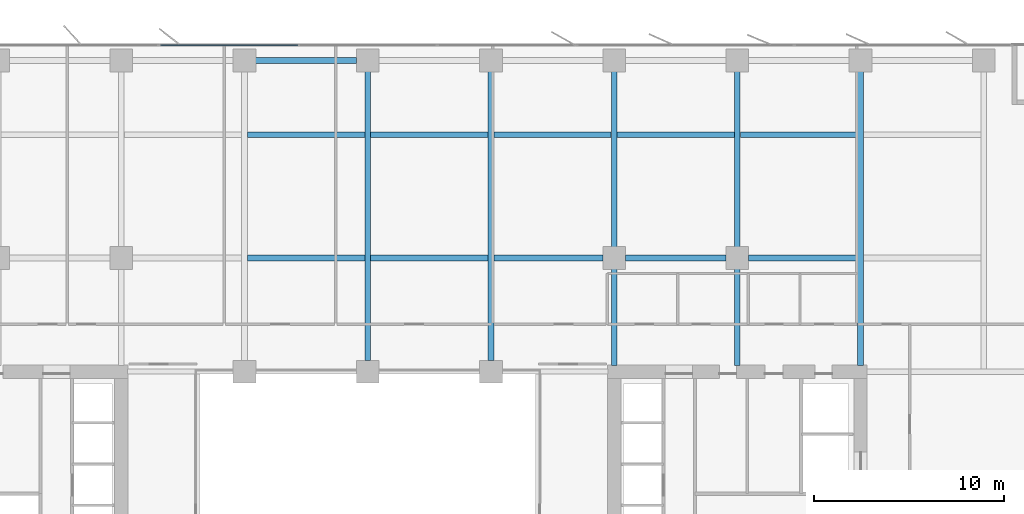
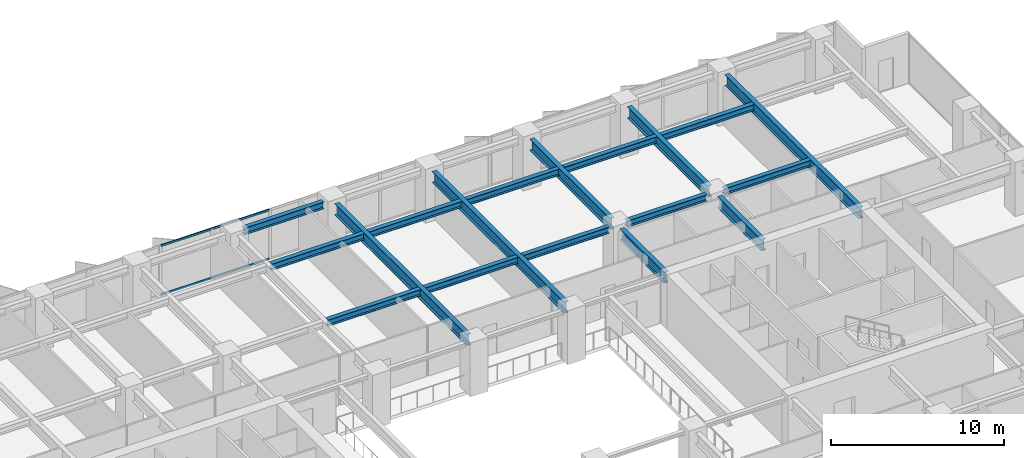
# One storey, part 8 of 20: 18 beams, 2 members, 1 element without a shape of its own.
"""IFC4 building model written with IfcOpenShell, lengths in metres."""

from ifc_helpers import new_model, si_unit, direction, frame, origin, origin_2d, place, context, subcontext, project, spatial, rectangle, i_section, extrude, material, layer, layer_set, material_profile, profile_set, type_object, element, aggregate, save


model = new_model("IFC4")

# Units and contexts
model_context = context("Model", 3, precision=1e-05, world=origin(), true_north=direction((0.0, 1.0)))
body_context = subcontext(model_context, "Body", "Model", "MODEL_VIEW")
ifc_project = project(units=[si_unit("LENGTHUNIT", "METRE"), si_unit("AREAUNIT", "SQUARE_METRE"), si_unit("VOLUMEUNIT", "CUBIC_METRE"), si_unit("PLANEANGLEUNIT", "RADIAN"), si_unit("MASSUNIT", "GRAM", prefix="KILO")], contexts=[model_context])

# Site, building, storey
site_placement = place(None, origin())
site = spatial("IfcSite", under=ifc_project, at=site_placement, CompositionType="ELEMENT")
building_placement = place(site_placement, origin())
building = spatial("IfcBuilding", under=site, at=building_placement, Name="Putna Gate Headquarters", CompositionType="ELEMENT")
storey_placement = place(building_placement, frame((0.0, 0.0, 135.39990234375)))
storey = spatial("IfcBuildingStorey", under=building, at=storey_placement, Name="L33", CompositionType="ELEMENT", Elevation=135.39990234375)

# Beams
ifc_material_1 = material(Name="Steel S355J2", Category="steel")
ifc_material_profile_1 = material_profile(ifc_material_1, i_section(OverallWidth=0.300048828125, OverallDepth=0.800048828125, WebThickness=0.017578125, FlangeThickness=0.032958984375, at=origin_2d()), Name="Steel S355J2")
ifc_profile_set_1 = profile_set([ifc_material_profile_1], Name="Steel S355J2")
beam_type_1 = type_object("IfcBeamType", Name="BM-GIRD-P-HEB800", PredefinedType="USERDEFINED", material=ifc_profile_set_1)
for number, where, z_axis, x_axis, name in (
    (1, (39.0, 33.587890625, 3.1201171875), (0.0, 1.0, 0.0), (-1.0, 0.0, 0.0), "L33 North Primary Girder X39"),
    (2, (45.5, 33.587890625, 3.1201171875), (0.0, 1.0, 0.0), (-1.0, 0.0, 0.0), "L33 North Primary Girder X45"),
):
    element("IfcBeam", number, at=place(storey_placement, frame(where, z_axis=z_axis, x_axis=x_axis)), inside=storey, type_object=beam_type_1, Name=name, ObjectType="GIRDER", PredefinedType="USERDEFINED", context=body_context, shape_type="SweptSolid", body=[
        extrude(i_section(OverallWidth=0.300048828125, OverallDepth=0.800048828125, WebThickness=0.017578125, FlangeThickness=0.032958984375, at=origin_2d()), origin(), (0.0, 0.0, 1.0), 15.244140625),
    ])
beam_1_placement = place(storey_placement, frame((52.0, 33.3349609375, 3.1201171875), z_axis=(0.0, 1.0, 0.0), x_axis=(-1.0, 0.0, 0.0)))
element("IfcBeam", 3, at=beam_1_placement, inside=storey, type_object=beam_type_1, Name="L33 North Primary Girder X52-1", ObjectType="GIRDER", PredefinedType="USERDEFINED", context=body_context, shape_type="SweptSolid", body=[
    extrude(i_section(OverallWidth=0.300048828125, OverallDepth=0.800048828125, WebThickness=0.017578125, FlangeThickness=0.032958984375, at=origin_2d()), origin(), (0.0, 0.0, 1.0), 5.0771484375),
])
beam_2_placement = place(storey_placement, frame((52.0, 39.587890625, 3.1201171875), z_axis=(0.0, 1.0, 0.0), x_axis=(-1.0, 0.0, 0.0)))
element("IfcBeam", 4, at=beam_2_placement, inside=storey, type_object=beam_type_1, Name="L33 North Primary Girder X52-2", ObjectType="GIRDER", PredefinedType="USERDEFINED", context=body_context, shape_type="SweptSolid", body=[
    extrude(i_section(OverallWidth=0.300048828125, OverallDepth=0.800048828125, WebThickness=0.017578125, FlangeThickness=0.032958984375, at=origin_2d()), origin(), (0.0, 0.0, 1.0), 9.244140625),
])
beam_3_placement = place(storey_placement, frame((58.5, 33.3349609375, 3.1201171875), z_axis=(0.0, 1.0, 0.0), x_axis=(-1.0, 0.0, 0.0)))
element("IfcBeam", 5, at=beam_3_placement, inside=storey, type_object=beam_type_1, Name="L33 North Primary Girder X58-1", ObjectType="GIRDER", PredefinedType="USERDEFINED", context=body_context, shape_type="SweptSolid", body=[
    extrude(i_section(OverallWidth=0.300048828125, OverallDepth=0.800048828125, WebThickness=0.017578125, FlangeThickness=0.032958984375, at=origin_2d()), origin(), (0.0, 0.0, 1.0), 5.0771484375),
])
beam_4_placement = place(storey_placement, frame((58.5, 39.587890625, 3.1201171875), z_axis=(0.0, 1.0, 0.0), x_axis=(-1.0, 0.0, 0.0)))
element("IfcBeam", 6, at=beam_4_placement, inside=storey, type_object=beam_type_1, Name="L33 North Primary Girder X58-2", ObjectType="GIRDER", PredefinedType="USERDEFINED", context=body_context, shape_type="SweptSolid", body=[
    extrude(i_section(OverallWidth=0.300048828125, OverallDepth=0.800048828125, WebThickness=0.017578125, FlangeThickness=0.032958984375, at=origin_2d()), origin(), (0.0, 0.0, 1.0), 9.244140625),
])
beam_5_placement = place(storey_placement, frame((65.0, 33.3349609375, 3.1201171875), z_axis=(0.0, 1.0, 0.0), x_axis=(-1.0, 0.0, 0.0)))
element("IfcBeam", 7, at=beam_5_placement, inside=storey, type_object=beam_type_1, Name="L33 North Primary Girder X65", ObjectType="GIRDER", PredefinedType="USERDEFINED", context=body_context, shape_type="SweptSolid", body=[
    extrude(i_section(OverallWidth=0.300048828125, OverallDepth=0.800048828125, WebThickness=0.017578125, FlangeThickness=0.032958984375, at=origin_2d()), origin(), (0.0, 0.0, 1.0), 15.4970703125),
])
ifc_material_profile_2 = material_profile(ifc_material_1, i_section(OverallWidth=0.300048828125, OverallDepth=0.449951171875, WebThickness=0.013916015625, FlangeThickness=0.02587890625, at=origin_2d()), Name="Steel S355J2")
ifc_profile_set_2 = profile_set([ifc_material_profile_2], Name="Steel S355J2")
beam_type_2 = type_object("IfcBeamType", Name="BM-GIRD-Z5-HEB450", PredefinedType="USERDEFINED", material=ifc_profile_set_2)
for number, where, z_axis, x_axis, name in (
    (8, (32.654052734375, 39.0, 3.295166015625), (1.0, 0.0, 0.0), (0.0, 1.0, 0.0), "L33 North Secondary Beam 5"),
    (9, (32.654052734375, 45.5, 3.295166015625), (1.0, 0.0, 0.0), (0.0, 1.0, 0.0), "L33 North Secondary Beam 5"),
    (10, (39.154052734375, 39.0, 3.295166015625), (1.0, 0.0, 0.0), (0.0, 1.0, 0.0), "L33 North Secondary Beam 6"),
    (11, (39.154052734375, 45.5, 3.295166015625), (1.0, 0.0, 0.0), (0.0, 1.0, 0.0), "L33 North Secondary Beam 6"),
):
    element("IfcBeam", number, at=place(storey_placement, frame(where, z_axis=z_axis, x_axis=x_axis)), inside=storey, type_object=beam_type_2, Name=name, ObjectType="GIRDER", PredefinedType="USERDEFINED", context=body_context, shape_type="SweptSolid", body=[
        extrude(i_section(OverallWidth=0.300048828125, OverallDepth=0.449951171875, WebThickness=0.013916015625, FlangeThickness=0.02587890625, at=origin_2d()), origin(), (0.0, 0.0, 1.0), 6.19189453125),
    ])
beam_6_placement = place(storey_placement, frame((45.654052734375, 39.0, 3.295166015625), z_axis=(1.0, 0.0, 0.0), x_axis=(0.0, 1.0, 0.0)))
element("IfcBeam", 12, at=beam_6_placement, inside=storey, type_object=beam_type_2, Name="L33 North Secondary Beam 7", ObjectType="GIRDER", PredefinedType="USERDEFINED", context=body_context, shape_type="SweptSolid", body=[
    extrude(i_section(OverallWidth=0.300048828125, OverallDepth=0.449951171875, WebThickness=0.013916015625, FlangeThickness=0.02587890625, at=origin_2d()), origin(), (0.0, 0.0, 1.0), 5.758056640625),
])
beam_7_placement = place(storey_placement, frame((45.654052734375, 45.5, 3.295166015625), z_axis=(1.0, 0.0, 0.0), x_axis=(0.0, 1.0, 0.0)))
element("IfcBeam", 13, at=beam_7_placement, inside=storey, type_object=beam_type_2, Name="L33 North Secondary Beam 7", ObjectType="GIRDER", PredefinedType="USERDEFINED", context=body_context, shape_type="SweptSolid", body=[
    extrude(i_section(OverallWidth=0.300048828125, OverallDepth=0.449951171875, WebThickness=0.013916015625, FlangeThickness=0.02587890625, at=origin_2d()), origin(), (0.0, 0.0, 1.0), 6.19189453125),
])
beam_8_placement = place(storey_placement, frame((52.587890625, 39.0, 3.295166015625), z_axis=(1.0, 0.0, 0.0), x_axis=(0.0, 1.0, 0.0)))
element("IfcBeam", 14, at=beam_8_placement, inside=storey, type_object=beam_type_2, Name="L33 North Secondary Beam 8", ObjectType="GIRDER", PredefinedType="USERDEFINED", context=body_context, shape_type="SweptSolid", body=[
    extrude(i_section(OverallWidth=0.300048828125, OverallDepth=0.449951171875, WebThickness=0.013916015625, FlangeThickness=0.02587890625, at=origin_2d()), origin(), (0.0, 0.0, 1.0), 5.32421875),
])
beam_9_placement = place(storey_placement, frame((52.154052734375, 45.5, 3.295166015625), z_axis=(1.0, 0.0, 0.0), x_axis=(0.0, 1.0, 0.0)))
element("IfcBeam", 15, at=beam_9_placement, inside=storey, type_object=beam_type_2, Name="L33 North Secondary Beam 8", ObjectType="GIRDER", PredefinedType="USERDEFINED", context=body_context, shape_type="SweptSolid", body=[
    extrude(i_section(OverallWidth=0.300048828125, OverallDepth=0.449951171875, WebThickness=0.013916015625, FlangeThickness=0.02587890625, at=origin_2d()), origin(), (0.0, 0.0, 1.0), 6.19189453125),
])
beam_10_placement = place(storey_placement, frame((59.087890625, 39.0, 3.295166015625), z_axis=(1.0, 0.0, 0.0), x_axis=(0.0, 1.0, 0.0)))
element("IfcBeam", 16, at=beam_10_placement, inside=storey, type_object=beam_type_2, Name="L33 North Secondary Beam 9", ObjectType="GIRDER", PredefinedType="USERDEFINED", context=body_context, shape_type="SweptSolid", body=[
    extrude(i_section(OverallWidth=0.300048828125, OverallDepth=0.449951171875, WebThickness=0.013916015625, FlangeThickness=0.02587890625, at=origin_2d()), origin(), (0.0, 0.0, 1.0), 5.758056640625),
])
beam_11_placement = place(storey_placement, frame((58.654052734375, 45.5, 3.295166015625), z_axis=(1.0, 0.0, 0.0), x_axis=(0.0, 1.0, 0.0)))
element("IfcBeam", 17, at=beam_11_placement, inside=storey, type_object=beam_type_2, Name="L33 North Secondary Beam 9", ObjectType="GIRDER", PredefinedType="USERDEFINED", context=body_context, shape_type="SweptSolid", body=[
    extrude(i_section(OverallWidth=0.300048828125, OverallDepth=0.449951171875, WebThickness=0.013916015625, FlangeThickness=0.02587890625, at=origin_2d()), origin(), (0.0, 0.0, 1.0), 6.19189453125),
])
ifc_material_profile_3 = material_profile(ifc_material_1, i_section(OverallWidth=0.300048828125, OverallDepth=0.489990234375, WebThickness=0.011962890625, FlangeThickness=0.02294921875, at=origin_2d()), Name="Steel S355J2")
ifc_profile_set_3 = profile_set([ifc_material_profile_3], Name="Steel S355J2")
beam_type_3 = type_object("IfcBeamType", Name="BM-SPAN-Z2-HEA500", PredefinedType="SPANDREL", material=ifc_profile_set_3)
beam_12_placement = place(storey_placement, frame((33.087890625, 49.419921875, 3.275146484375), z_axis=(1.0, 0.0, 0.0), x_axis=(0.0, 1.0, 0.0)))
element("IfcBeam", 18, at=beam_12_placement, inside=storey, type_object=beam_type_3, Name="L33 N Perimeter Spandrel 5", PredefinedType="SPANDREL", context=body_context, shape_type="SweptSolid", body=[
    extrude(i_section(OverallWidth=0.300048828125, OverallDepth=0.489990234375, WebThickness=0.011962890625, FlangeThickness=0.02294921875, at=origin_2d()), origin(), (0.0, 0.0, 1.0), 5.32421875),
])

# Curtain wall, members
ifc_material_2 = material(Name="Anodised bronze aluminium curtain wall", Category="aluminium")
ifc_layer = layer(ifc_material_2, 0.179931640625)
ifc_layer_set = layer_set([ifc_layer], Name="Anodised bronze aluminium curtain wall")
curtain_wall_type = type_object("IfcCurtainWallType", Name="CW-SYS-ATR", PredefinedType="USERDEFINED", material=ifc_layer_set)
curtain_wall_placement = place(storey_placement, origin())
curtain_wall = element("IfcCurtainWall", 19, at=curtain_wall_placement, inside=storey, type_object=curtain_wall_type, Name="L33 North Atrium Clear Glazing", ObjectType="ATRIUM GLAZING", PredefinedType="USERDEFINED")
ifc_material_3 = material(Name="Anodised bronze aluminium EN AW-6060", Category="aluminium")
ifc_material_profile_4 = material_profile(ifc_material_3, rectangle(XDim=0.070068359375, YDim=0.139892578125, at=origin_2d()), Name="Anodised bronze aluminium EN AW-6060")
ifc_profile_set_4 = profile_set([ifc_material_profile_4], Name="Anodised bronze aluminium EN AW-6060")
member_type = type_object("IfcMemberType", Name="TRAN-CWT-AT", PredefinedType="USERDEFINED", material=ifc_profile_set_4)
member_1_placement = place(storey_placement, frame((28.070068359375, 50.219970703125, 0.03515625), z_axis=(1.0, 0.0, 0.0), x_axis=(0.0, 1.0, 0.0)))
member_1 = element("IfcMember", 20, at=member_1_placement, type_object=member_type, Name="CWS-AT transom 1.1", ObjectType="TRANSOM", PredefinedType="USERDEFINED", context=body_context, shape_type="SweptSolid", body=[
    extrude(rectangle(XDim=0.070068359375, YDim=0.139892578125, at=origin_2d()), origin(), (0.0, 0.0, 1.0), 7.228271484375),
])
member_2_placement = place(storey_placement, frame((28.070068359375, 50.219970703125, 3.485107421875), z_axis=(1.0, 0.0, 0.0), x_axis=(0.0, 1.0, 0.0)))
member_2 = element("IfcMember", 21, at=member_2_placement, type_object=member_type, Name="CWS-AT transom 1.2", ObjectType="TRANSOM", PredefinedType="USERDEFINED", context=body_context, shape_type="SweptSolid", body=[
    extrude(rectangle(XDim=0.070068359375, YDim=0.139892578125, at=origin_2d()), origin(), (0.0, 0.0, 1.0), 7.228271484375),
])
aggregate(curtain_wall, [member_1, member_2])

save(model, "model.ifc")
